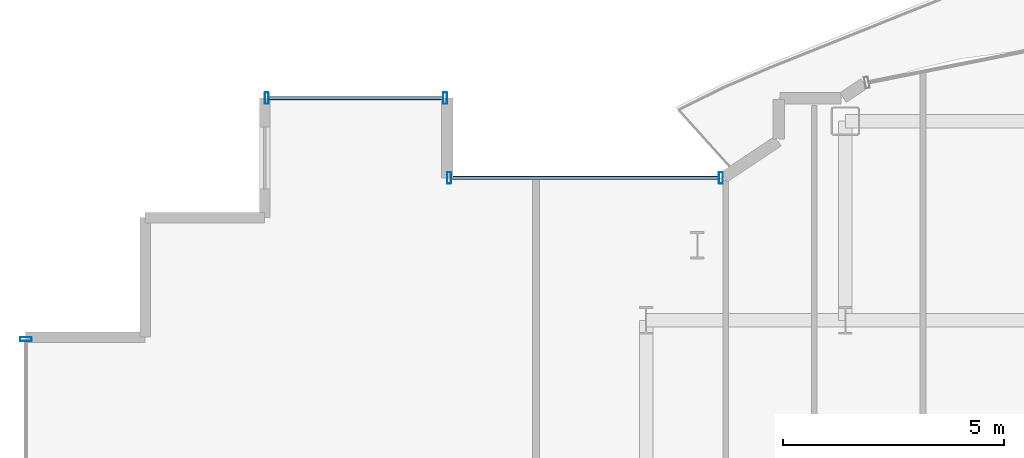
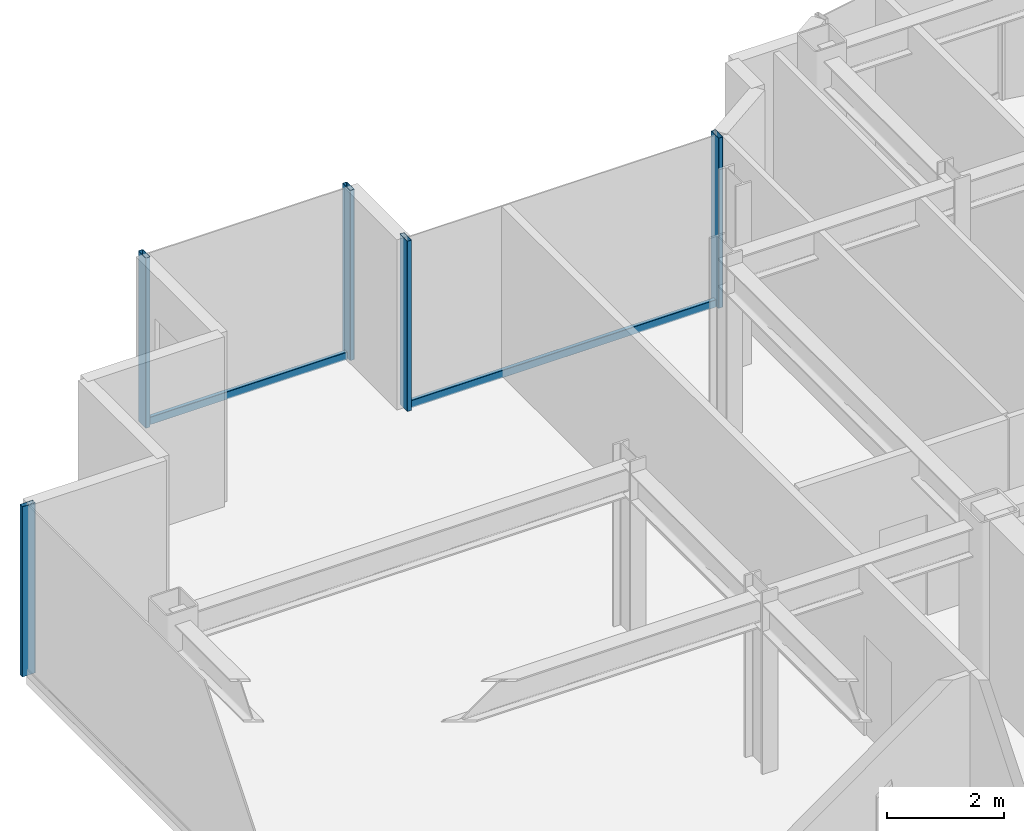
# One storey, part 9 of 18: 7 members, 3 elements without a shape of their own.
"""IFC4 building model written with IfcOpenShell, lengths in metres."""

from ifc_helpers import new_model, si_unit, direction, frame, origin, origin_2d, place, context, subcontext, project, spatial, hollow_rectangle, extrude, source, transform, mapped, material, layer, layer_set, material_profile, profile_set, type_object, element, aggregate, save


model = new_model("IFC4")

# Units and contexts
model_context = context("Model", 3, precision=1e-05, world=origin(), true_north=direction((0.0, 1.0)))
body_context = subcontext(model_context, "Body", "Model", "MODEL_VIEW")
ifc_project = project(units=[si_unit("LENGTHUNIT", "METRE"), si_unit("AREAUNIT", "SQUARE_METRE"), si_unit("VOLUMEUNIT", "CUBIC_METRE"), si_unit("PLANEANGLEUNIT", "RADIAN"), si_unit("MASSUNIT", "GRAM", prefix="KILO")], contexts=[model_context])

# Site, building, storey
site_placement = place(None, origin())
site = spatial("IfcSite", under=ifc_project, at=site_placement, CompositionType="ELEMENT")
building_placement = place(site_placement, origin())
building = spatial("IfcBuilding", under=site, at=building_placement, Name="Nefas-Gora Pilgrimage Tower", CompositionType="ELEMENT")
storey_placement = place(building_placement, frame((0.0, 0.0, 268.39990234375)))
storey = spatial("IfcBuildingStorey", under=building, at=storey_placement, Name="L67", CompositionType="ELEMENT", Elevation=268.39990234375)

# Curtain wall, members
ifc_material_1 = material(Name="Dark ceramic-fritted solar-control aluminium-glass curtain wall", Category="aluminium")
ifc_layer_1 = layer(ifc_material_1, 0.219970703125)
ifc_layer_set_1 = layer_set([ifc_layer_1], Name="Dark ceramic-fritted solar-control aluminium-glass curtain wall")
curtain_wall_type_1 = type_object("IfcCurtainWallType", Name="CW-SYS-5", PredefinedType="NOTDEFINED", material=ifc_layer_set_1)
curtain_wall_1_placement = place(storey_placement, origin())
curtain_wall_1 = element("IfcCurtainWall", 1, at=curtain_wall_1_placement, inside=storey, type_object=curtain_wall_type_1, Name="L67 Unitised Curtain Wall CW5", PredefinedType="NOTDEFINED")
ifc_material_2 = material(Name="Anodised architectural aluminium", Category="aluminium")
ifc_material_profile_1 = material_profile(ifc_material_2, hollow_rectangle(XDim=0.090087890625, YDim=0.260009765625, WallThickness=0.006103515625, InnerFilletRadius=0.006103515625, OuterFilletRadius=0.011962890625, at=origin_2d()), Name="ALU MULLION 90x260")
ifc_profile_set_1 = profile_set([ifc_material_profile_1], Name="Anodised architectural aluminium")
member_type_1 = type_object("IfcMemberType", Name="CWM-MUL-5", PredefinedType="MULLION", material=ifc_profile_set_1)
shared_shape_1 = source(origin(), body_context, "Body", "SweptSolid", [
    extrude(hollow_rectangle(XDim=0.090087890625, YDim=0.260009765625, WallThickness=0.006103515625, InnerFilletRadius=0.006103515625, OuterFilletRadius=0.011962890625, at=origin_2d()), origin(), (0.0, 0.0, 1.0), 3.550048828125),
])
member_1_placement = place(storey_placement, frame((-9.56298828125, 21.219970703125, 0.0), z_axis=(0.0, 0.0, 1.0), x_axis=(-1.0, 0.0, 0.0)))
member_1 = element("IfcMember", 2, at=member_1_placement, type_object=member_type_1, Name="CW5 Mullion 1", PredefinedType="MULLION", context=body_context, shape_type="MappedRepresentation", body=[
    mapped(shared_shape_1, transform((0.0, 0.0, 0.0), x_axis=(1.0, 0.0, 0.0), y_axis=(0.0, 1.0, 0.0), z_axis=(0.0, 0.0, 1.0), scale=1.0)),
])
member_2_placement = place(storey_placement, frame((-15.705078125, 21.219970703125, 0.0), z_axis=(0.0, 0.0, 1.0), x_axis=(-1.0, 0.0, 0.0)))
member_2 = element("IfcMember", 3, at=member_2_placement, type_object=member_type_1, Name="CW5 Mullion 2", PredefinedType="MULLION", context=body_context, shape_type="MappedRepresentation", body=[
    mapped(shared_shape_1, transform((0.0, 0.0, 0.0), x_axis=(1.0, 0.0, 0.0), y_axis=(0.0, 1.0, 0.0), z_axis=(0.0, 0.0, 1.0), scale=1.0)),
])
ifc_material_profile_2 = material_profile(ifc_material_2, hollow_rectangle(XDim=0.080078125, YDim=0.159912109375, WallThickness=0.00439453125, InnerFilletRadius=0.00439453125, OuterFilletRadius=0.009033203125, at=origin_2d()), Name="ALU TRANSOM 80x160")
ifc_profile_set_2 = profile_set([ifc_material_profile_2], Name="Anodised architectural aluminium")
member_type_2 = type_object("IfcMemberType", Name="CWM-TRN-5", PredefinedType="USERDEFINED", material=ifc_profile_set_2)
shared_shape_2 = source(origin(), body_context, "Body", "SweptSolid", [
    extrude(hollow_rectangle(XDim=0.080078125, YDim=0.159912109375, WallThickness=0.00439453125, InnerFilletRadius=0.00439453125, OuterFilletRadius=0.009033203125, at=origin_2d()), origin(), (0.0, 0.0, 1.0), 6.052001953125),
])
member_3_placement = place(storey_placement, frame((-9.60791015625, 21.219970703125, 0.050048828125), z_axis=(-1.0, 0.0, 0.0), x_axis=(0.0, -1.0, 0.0)))
member_3 = element("IfcMember", 4, at=member_3_placement, type_object=member_type_2, Name="CW5 Spandrel Transom", ObjectType="TRANSOM", PredefinedType="USERDEFINED", context=body_context, shape_type="MappedRepresentation", body=[
    mapped(shared_shape_2, transform((0.0, 0.0, 0.0), x_axis=(1.0, 0.0, 0.0), y_axis=(0.0, 1.0, 0.0), z_axis=(0.0, 0.0, 1.0), scale=1.0)),
])
aggregate(curtain_wall_1, [member_1, member_2, member_3])

ifc_layer_2 = layer(ifc_material_1, 0.219970703125)
ifc_layer_set_2 = layer_set([ifc_layer_2], Name="Dark ceramic-fritted solar-control aluminium-glass curtain wall")
curtain_wall_type_2 = type_object("IfcCurtainWallType", Name="CW-SYS-4", PredefinedType="NOTDEFINED", material=ifc_layer_set_2)
curtain_wall_2_placement = place(storey_placement, origin())
curtain_wall_2 = element("IfcCurtainWall", 5, at=curtain_wall_2_placement, inside=storey, type_object=curtain_wall_type_2, Name="L67 Unitised Curtain Wall CW4", PredefinedType="NOTDEFINED")
ifc_material_profile_3 = material_profile(ifc_material_2, hollow_rectangle(XDim=0.080078125, YDim=0.159912109375, WallThickness=0.00439453125, InnerFilletRadius=0.00439453125, OuterFilletRadius=0.009033203125, at=origin_2d()), Name="ALU TRANSOM 80x160")
ifc_profile_set_3 = profile_set([ifc_material_profile_3], Name="Anodised architectural aluminium")
member_type_3 = type_object("IfcMemberType", Name="CWM-TRN-4", PredefinedType="USERDEFINED", material=ifc_profile_set_3)
shared_shape_3 = source(origin(), body_context, "Body", "SweptSolid", [
    extrude(hollow_rectangle(XDim=0.080078125, YDim=0.159912109375, WallThickness=0.00439453125, InnerFilletRadius=0.00439453125, OuterFilletRadius=0.009033203125, at=origin_2d()), origin(), (0.0, 0.0, 1.0), 3.93994140625),
])
member_4_placement = place(storey_placement, frame((-15.840087890625, 23.02001953125, 0.050048828125), z_axis=(-1.0, 0.0, 0.0), x_axis=(0.0, -1.0, 0.0)))
member_4 = element("IfcMember", 6, at=member_4_placement, type_object=member_type_3, Name="CW4 Spandrel Transom", ObjectType="TRANSOM", PredefinedType="USERDEFINED", context=body_context, shape_type="MappedRepresentation", body=[
    mapped(shared_shape_3, transform((0.0, 0.0, 0.0), x_axis=(1.0, 0.0, 0.0), y_axis=(0.0, 1.0, 0.0), z_axis=(0.0, 0.0, 1.0), scale=1.0)),
])
ifc_material_profile_4 = material_profile(ifc_material_2, hollow_rectangle(XDim=0.090087890625, YDim=0.260009765625, WallThickness=0.006103515625, InnerFilletRadius=0.006103515625, OuterFilletRadius=0.011962890625, at=origin_2d()), Name="ALU MULLION 90x260")
ifc_profile_set_4 = profile_set([ifc_material_profile_4], Name="Anodised architectural aluminium")
member_type_4 = type_object("IfcMemberType", Name="CWM-MUL-4", PredefinedType="MULLION", material=ifc_profile_set_4)
shared_shape_4 = source(origin(), body_context, "Body", "SweptSolid", [
    extrude(hollow_rectangle(XDim=0.090087890625, YDim=0.260009765625, WallThickness=0.006103515625, InnerFilletRadius=0.006103515625, OuterFilletRadius=0.011962890625, at=origin_2d()), origin(), (0.0, 0.0, 1.0), 3.550048828125),
])
member_5_placement = place(storey_placement, frame((-15.794921875, 23.02001953125, 0.0), z_axis=(0.0, 0.0, 1.0), x_axis=(-1.0, 0.0, 0.0)))
member_5 = element("IfcMember", 7, at=member_5_placement, type_object=member_type_4, Name="CW4 Mullion 1", PredefinedType="MULLION", context=body_context, shape_type="MappedRepresentation", body=[
    mapped(shared_shape_4, transform((0.0, 0.0, 0.0), x_axis=(1.0, 0.0, 0.0), y_axis=(0.0, 1.0, 0.0), z_axis=(0.0, 0.0, 1.0), scale=1.0)),
])
member_6_placement = place(storey_placement, frame((-19.824951171875, 23.02001953125, 0.0), z_axis=(0.0, 0.0, 1.0), x_axis=(-1.0, 0.0, 0.0)))
member_6 = element("IfcMember", 8, at=member_6_placement, type_object=member_type_4, Name="CW4 Mullion 2", PredefinedType="MULLION", context=body_context, shape_type="MappedRepresentation", body=[
    mapped(shared_shape_4, transform((0.0, 0.0, 0.0), x_axis=(1.0, 0.0, 0.0), y_axis=(0.0, 1.0, 0.0), z_axis=(0.0, 0.0, 1.0), scale=1.0)),
])
aggregate(curtain_wall_2, [member_5, member_6, member_4])

# Curtain wall, member
curtain_wall_3_placement = place(storey_placement, origin())
curtain_wall_3 = element("IfcCurtainWall", 9, at=curtain_wall_3_placement, inside=storey, type_object=curtain_wall_type_2, Name="L67 Unitised Curtain Wall CW4", PredefinedType="NOTDEFINED")
member_7_placement = place(storey_placement, frame((-25.27001953125, 17.574951171875, 0.0), z_axis=(0.0, 0.0, 1.0), x_axis=(0.0, -1.0, 0.0)))
member_7 = element("IfcMember", 10, at=member_7_placement, type_object=member_type_4, Name="CW4 Mullion 1", PredefinedType="MULLION", context=body_context, shape_type="MappedRepresentation", body=[
    mapped(shared_shape_4, transform((0.0, 0.0, 0.0), x_axis=(1.0, 0.0, 0.0), y_axis=(0.0, 1.0, 0.0), z_axis=(0.0, 0.0, 1.0), scale=1.0)),
])
aggregate(curtain_wall_3, [member_7])

save(model, "model.ifc")
